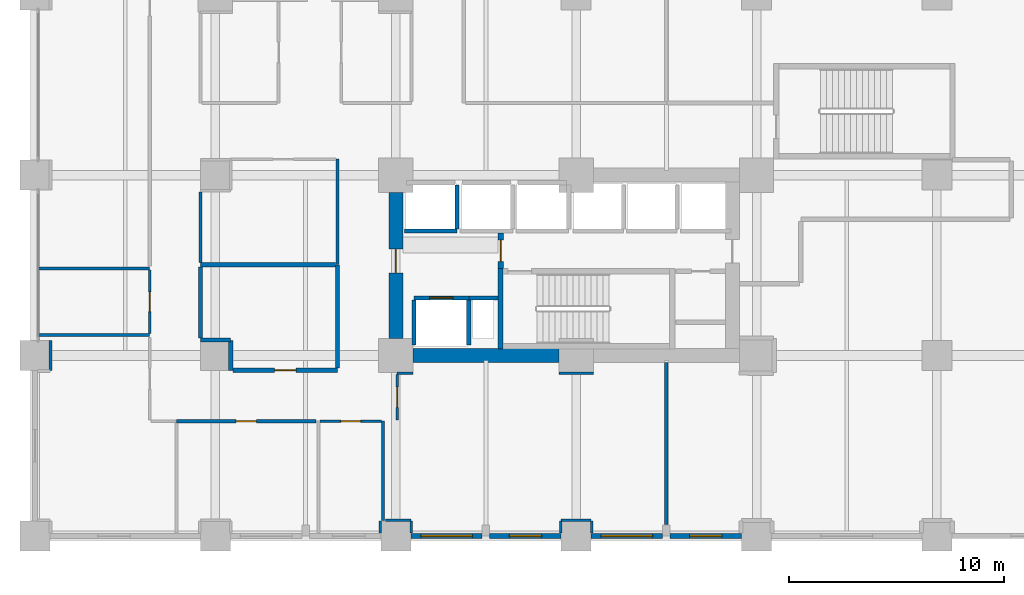
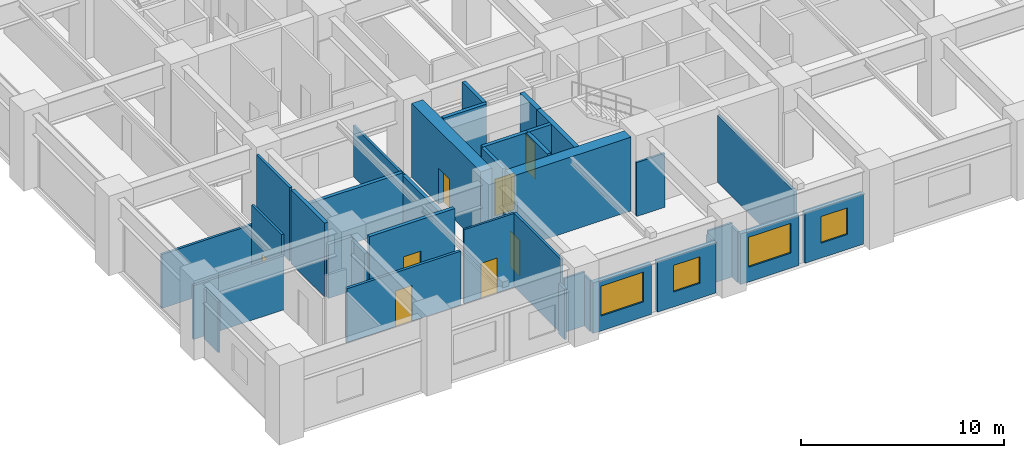
# One storey, part 19 of 24: 39 walls, 8 doors, 4 windows, 12 openings.
"""IFC4 building model written with IfcOpenShell, lengths in metres."""

from ifc_helpers import new_model, si_unit, direction, frame, frame_2d, origin, place, context, subcontext, project, spatial, rectangle, extrude, material, layer, layer_set, type_object, element, fill, save


model = new_model("IFC4")

# Units and contexts
model_context = context("Model", 3, precision=1e-05, world=origin(), true_north=direction((0.0, 1.0)))
body_context = subcontext(model_context, "Body", "Model", "MODEL_VIEW")
ifc_project = project(units=[si_unit("LENGTHUNIT", "METRE"), si_unit("AREAUNIT", "SQUARE_METRE"), si_unit("VOLUMEUNIT", "CUBIC_METRE"), si_unit("PLANEANGLEUNIT", "RADIAN"), si_unit("MASSUNIT", "GRAM", prefix="KILO")], contexts=[model_context])

# Site, building, storey
site_placement = place(None, origin())
site = spatial("IfcSite", under=ifc_project, at=site_placement, CompositionType="ELEMENT")
building_placement = place(site_placement, origin())
building = spatial("IfcBuilding", under=site, at=building_placement, Name="Nerrivon Quay Data Exchange", CompositionType="ELEMENT")
storey_placement = place(building_placement, frame((0.0, 0.0, 15.0)))
storey = spatial("IfcBuildingStorey", under=building, at=storey_placement, Name="L03", CompositionType="ELEMENT", Elevation=15.0)

# Wall, opening, window
ifc_material_1 = material(Name="Architectural terracotta precast concrete N50 (50 MPa)", Category="masonry")
ifc_layer_1 = layer(ifc_material_1, 0.239990234375)
ifc_layer_set_1 = layer_set([ifc_layer_1], Name="Architectural terracotta precast concrete N50 (50 MPa)")
wall_type_1 = type_object("IfcWallType", Name="EW-PREC-240", PredefinedType="STANDARD", material=ifc_layer_set_1)
wall_1_placement = place(storey_placement, frame((32.89990234375, 0.0, 0.0), z_axis=(0.0, 0.0, 1.0), x_axis=(-1.0, 0.0, 0.0)))
wall_1 = element("IfcWall", 1, at=wall_1_placement, inside=storey, type_object=wall_type_1, Name="L03 Podium Precast Spandrel Wall 23", PredefinedType="STANDARD", context=body_context, shape_type="SweptSolid", body=[
    extrude(rectangle(XDim=3.324951171875, YDim=0.239990234375, at=frame_2d((1.66259765625, 0.0))), origin(), (0.0, 0.0, 1.0), 3.050048828125),
])
opening_1_placement = place(wall_1_placement, frame((0.91259765625, 0.0, 0.89990234375)))
opening_1 = element("IfcOpeningElement", 2, at=opening_1_placement, cuts=wall_1, Name="Opening WN4", PredefinedType="OPENING", context=body_context, shape_type="SweptSolid", body=[
    extrude(rectangle(XDim=1.5, YDim=1.60009765625, at=frame_2d((0.75, 0.800048828125))), frame((0.0, 0.1298828125, 0.0), z_axis=(0.0, -1.0, 0.0), x_axis=(1.0, 0.0, 0.0)), (0.0, 0.0, 1.0), 0.260009765625),
])
ifc_material_2 = material(Name="Double-glazed low-E solar control glass", Category="glass")
window_type_1 = type_object("IfcWindowType", Name="WIN-W4-1500x1600", PartitioningType="SINGLE_PANEL", PredefinedType="WINDOW", material=ifc_material_2)
window_1_placement = place(opening_1_placement, origin())
window_1 = element("IfcWindow", 3, at=window_1_placement, inside=storey, type_object=window_type_1, Name="L03 Solar Facade Window 23", OverallHeight=1.60009765625, OverallWidth=1.5, PartitioningType="SINGLE_PANEL", PredefinedType="WINDOW", context=body_context, shape_type="SweptSolid", body=[
    extrude(rectangle(XDim=1.5, YDim=1.60009765625, at=frame_2d((0.75, 0.800048828125))), frame((0.0, 0.030029296875, 0.0), z_axis=(0.0, -1.0, 0.0), x_axis=(1.0, 0.0, 0.0)), (0.0, 0.0, 1.0), 0.06005859375),
])
fill(opening_1, window_1)

wall_2_placement = place(storey_placement, frame((29.22509765625, 0.0, 0.0), z_axis=(0.0, 0.0, 1.0), x_axis=(-1.0, 0.0, 0.0)))
wall_2 = element("IfcWall", 4, at=wall_2_placement, inside=storey, type_object=wall_type_1, Name="L03 Podium Precast Spandrel Wall 24", PredefinedType="STANDARD", context=body_context, shape_type="SweptSolid", body=[
    extrude(rectangle(XDim=3.3251953125, YDim=0.239990234375, at=frame_2d((1.66259765625, 0.0))), origin(), (0.0, 0.0, 1.0), 3.050048828125),
])
opening_2_placement = place(wall_2_placement, frame((0.46240234375, 0.0, 0.89990234375)))
opening_2 = element("IfcOpeningElement", 5, at=opening_2_placement, cuts=wall_2, Name="Opening WN1", PredefinedType="OPENING", context=body_context, shape_type="SweptSolid", body=[
    extrude(rectangle(XDim=2.39990234375, YDim=1.800048828125, at=frame_2d((1.199951171875, 0.89990234375))), frame((0.0, 0.1298828125, 0.0), z_axis=(0.0, -1.0, 0.0), x_axis=(1.0, 0.0, 0.0)), (0.0, 0.0, 1.0), 0.260009765625),
])
window_type_2 = type_object("IfcWindowType", Name="WIN-W1-2400x1800", PartitioningType="SINGLE_PANEL", PredefinedType="WINDOW", material=ifc_material_2)
window_2_placement = place(opening_2_placement, origin())
window_2 = element("IfcWindow", 6, at=window_2_placement, inside=storey, type_object=window_type_2, Name="L03 Solar Facade Window 24", OverallHeight=1.800048828125, OverallWidth=2.39990234375, PartitioningType="SINGLE_PANEL", PredefinedType="WINDOW", context=body_context, shape_type="SweptSolid", body=[
    extrude(rectangle(XDim=2.39990234375, YDim=1.800048828125, at=frame_2d((1.199951171875, 0.89990234375))), frame((0.0, 0.030029296875, 0.0), z_axis=(0.0, -1.0, 0.0), x_axis=(1.0, 0.0, 0.0)), (0.0, 0.0, 1.0), 0.06005859375),
])
fill(opening_2, window_2)

wall_3_placement = place(storey_placement, frame((24.5, 0.0, 0.0), z_axis=(0.0, 0.0, 1.0), x_axis=(-1.0, 0.0, 0.0)))
wall_3 = element("IfcWall", 7, at=wall_3_placement, inside=storey, type_object=wall_type_1, Name="L03 Podium Precast Spandrel Wall 25", PredefinedType="STANDARD", context=body_context, shape_type="SweptSolid", body=[
    extrude(rectangle(XDim=3.324951171875, YDim=0.239990234375, at=frame_2d((1.66259765625, 0.0))), origin(), (0.0, 0.0, 1.0), 3.050048828125),
])
opening_3_placement = place(wall_3_placement, frame((0.91259765625, 0.0, 0.89990234375)))
opening_3 = element("IfcOpeningElement", 8, at=opening_3_placement, cuts=wall_3, Name="Opening WN4", PredefinedType="OPENING", context=body_context, shape_type="SweptSolid", body=[
    extrude(rectangle(XDim=1.5, YDim=1.60009765625, at=frame_2d((0.75, 0.800048828125))), frame((0.0, 0.1298828125, 0.0), z_axis=(0.0, -1.0, 0.0), x_axis=(1.0, 0.0, 0.0)), (0.0, 0.0, 1.0), 0.260009765625),
])
window_3_placement = place(opening_3_placement, origin())
window_3 = element("IfcWindow", 9, at=window_3_placement, inside=storey, type_object=window_type_1, Name="L03 Solar Facade Window 25", OverallHeight=1.60009765625, OverallWidth=1.5, PartitioningType="SINGLE_PANEL", PredefinedType="WINDOW", context=body_context, shape_type="SweptSolid", body=[
    extrude(rectangle(XDim=1.5, YDim=1.60009765625, at=frame_2d((0.75, 0.800048828125))), frame((0.0, 0.030029296875, 0.0), z_axis=(0.0, -1.0, 0.0), x_axis=(1.0, 0.0, 0.0)), (0.0, 0.0, 1.0), 0.06005859375),
])
fill(opening_3, window_3)

wall_4_placement = place(storey_placement, frame((20.824951171875, 0.0, 0.0), z_axis=(0.0, 0.0, 1.0), x_axis=(-1.0, 0.0, 0.0)))
wall_4 = element("IfcWall", 10, at=wall_4_placement, inside=storey, type_object=wall_type_1, Name="L03 Podium Precast Spandrel Wall 26", PredefinedType="STANDARD", context=body_context, shape_type="SweptSolid", body=[
    extrude(rectangle(XDim=3.324951171875, YDim=0.239990234375, at=frame_2d((1.66259765625, 0.0))), origin(), (0.0, 0.0, 1.0), 3.050048828125),
])
opening_4_placement = place(wall_4_placement, frame((0.46240234375, 0.0, 0.89990234375)))
opening_4 = element("IfcOpeningElement", 11, at=opening_4_placement, cuts=wall_4, Name="Opening WN1", PredefinedType="OPENING", context=body_context, shape_type="SweptSolid", body=[
    extrude(rectangle(XDim=2.39990234375, YDim=1.800048828125, at=frame_2d((1.199951171875, 0.89990234375))), frame((0.0, 0.1298828125, 0.0), z_axis=(0.0, -1.0, 0.0), x_axis=(1.0, 0.0, 0.0)), (0.0, 0.0, 1.0), 0.260009765625),
])
window_4_placement = place(opening_4_placement, origin())
window_4 = element("IfcWindow", 12, at=window_4_placement, inside=storey, type_object=window_type_2, Name="L03 Solar Facade Window 26", OverallHeight=1.800048828125, OverallWidth=2.39990234375, PartitioningType="SINGLE_PANEL", PredefinedType="WINDOW", context=body_context, shape_type="SweptSolid", body=[
    extrude(rectangle(XDim=2.39990234375, YDim=1.800048828125, at=frame_2d((1.199951171875, 0.89990234375))), frame((0.0, 0.030029296875, 0.0), z_axis=(0.0, -1.0, 0.0), x_axis=(1.0, 0.0, 0.0)), (0.0, 0.0, 1.0), 0.06005859375),
])
fill(opening_4, window_4)

# Wall
ifc_material_3 = material(Name="Concrete N80 (80 MPa)", Category="concrete")
ifc_layer_2 = layer(ifc_material_3, 0.64990234375)
ifc_layer_set_2 = layer_set([ifc_layer_2], Name="Concrete N80 (80 MPa)")
wall_type_2 = type_object("IfcWallType", Name="WALL-CW-850", PredefinedType="SHEAR", material=ifc_layer_set_2)
wall_5_placement = place(storey_placement, frame((17.60009765625, 8.39990234375, 0.0), z_axis=(0.0, 0.0, 1.0), x_axis=(1.0, 0.0, 0.0)))
element("IfcWall", 13, at=wall_5_placement, inside=storey, type_object=wall_type_2, Name="L03 East Split-Core Shear Wall ECW-S1", PredefinedType="SHEAR", context=body_context, shape_type="SweptSolid", body=[
    extrude(rectangle(XDim=6.7998046875, YDim=0.64990234375, at=frame_2d((3.39990234375, 0.0))), origin(), (0.0, 0.0, 1.0), 4.449951171875),
])

# Wall, opening, door
wall_6_placement = place(storey_placement, frame((16.800048828125, 9.199951171875, 0.0), z_axis=(0.0, 0.0, 1.0), x_axis=(0.0, 1.0, 0.0)))
wall_6 = element("IfcWall", 14, at=wall_6_placement, inside=storey, type_object=wall_type_2, Name="L03 East Split-Core Shear Wall ECW-W1", PredefinedType="SHEAR", context=body_context, shape_type="SweptSolid", body=[
    extrude(rectangle(XDim=6.800048828125, YDim=0.64990234375, at=frame_2d((3.39990234375, 0.0))), origin(), (0.0, 0.0, 1.0), 4.449951171875),
])
opening_5_placement = place(wall_6_placement, frame((3.050048828125, 0.0, 0.0)))
opening_5 = element("IfcOpeningElement", 15, at=opening_5_placement, cuts=wall_6, Name="Opening FD-120", PredefinedType="OPENING", context=body_context, shape_type="SweptSolid", body=[
    extrude(rectangle(XDim=1.10009765625, YDim=2.14990234375, at=frame_2d((0.550048828125, 1.074951171875))), frame((0.0, 0.3349609375, 0.0), z_axis=(0.0, -1.0, 0.0), x_axis=(1.0, 0.0, 0.0)), (0.0, 0.0, 1.0), 0.669921875),
])
ifc_material_4 = material(Name="Powder-coated galvanized steel sheet", Category="steel")
door_type_1 = type_object("IfcDoorType", Name="DR-FD120-1100", OperationType="NOTDEFINED", PredefinedType="DOOR", material=ifc_material_4)
door_1_placement = place(opening_5_placement, origin())
door_1 = element("IfcDoor", 16, at=door_1_placement, inside=storey, type_object=door_type_1, Name="L03 East Core Lobby Fire Door", OperationType="SINGLE_SWING_LEFT", OverallHeight=2.14990234375, OverallWidth=1.10009765625, PredefinedType="DOOR", context=body_context, shape_type="SweptSolid", body=[
    extrude(rectangle(XDim=1.10009765625, YDim=2.14990234375, at=frame_2d((0.550048828125, 1.074951171875))), frame((0.0, 0.02490234375, 0.0), z_axis=(0.0, -1.0, 0.0), x_axis=(1.0, 0.0, 0.0)), (0.0, 0.0, 1.0), 0.050048828125),
])
fill(opening_5, door_1)

# Wall
ifc_material_5 = material(Name="Gypsum plasterboard on cold-formed framing", Category="gypsum")
ifc_layer_3 = layer(ifc_material_5, 0.199951171875)
ifc_layer_set_3 = layer_set([ifc_layer_3], Name="Gypsum plasterboard on cold-formed framing")
wall_type_3 = type_object("IfcWallType", Name="WALL-FW-200", PredefinedType="PARTITIONING", material=ifc_layer_set_3)
wall_7_placement = place(storey_placement, frame((20.199951171875, 11.080078125, 0.0), z_axis=(0.0, 0.0, 1.0), x_axis=(1.0, 0.0, 0.0)))
element("IfcWall", 17, at=wall_7_placement, inside=storey, type_object=wall_type_3, Name="L03 East Core MEP Riser Shaft Wall N", PredefinedType="PARTITIONING", context=body_context, shape_type="SweptSolid", body=[
    extrude(rectangle(XDim=1.35009765625, YDim=0.199951171875, at=frame_2d((0.675048828125, 0.0))), origin(), (0.0, 0.0, 1.0), 4.449951171875),
])

# Wall, opening, door
wall_8_placement = place(storey_placement, frame((17.64990234375, 11.080078125, 0.0), z_axis=(0.0, 0.0, 1.0), x_axis=(1.0, 0.0, 0.0)))
wall_8 = element("IfcWall", 18, at=wall_8_placement, inside=storey, type_object=wall_type_3, Name="L03 Lift Front Wall FFL-2", PredefinedType="PARTITIONING", context=body_context, shape_type="SweptSolid", body=[
    extrude(rectangle(XDim=2.550048828125, YDim=0.199951171875, at=frame_2d((1.27490234375, 0.0))), origin(), (0.0, 0.0, 1.0), 4.449951171875),
])
opening_6_placement = place(wall_8_placement, frame((0.72509765625, 0.0, 0.0)))
opening_6 = element("IfcOpeningElement", 19, at=opening_6_placement, cuts=wall_8, Name="Opening LD-120", PredefinedType="OPENING", context=body_context, shape_type="SweptSolid", body=[
    extrude(rectangle(XDim=1.10009765625, YDim=2.199951171875, at=frame_2d((0.550048828125, 1.10009765625))), frame((0.0, 0.10986328125, 0.0), z_axis=(0.0, -1.0, 0.0), x_axis=(1.0, 0.0, 0.0)), (0.0, 0.0, 1.0), 0.219970703125),
])
door_type_2 = type_object("IfcDoorType", Name="DR-LIFT-LD120", OperationType="DOUBLE_DOOR_SLIDING", PredefinedType="DOOR", material=ifc_material_4)
door_2_placement = place(opening_6_placement, origin())
door_2 = element("IfcDoor", 20, at=door_2_placement, inside=storey, type_object=door_type_2, Name="L03 Lift Landing Sliding Door FFL-2", OperationType="DOUBLE_DOOR_SLIDING", OverallHeight=2.199951171875, OverallWidth=1.10009765625, PredefinedType="DOOR", context=body_context, shape_type="SweptSolid", body=[
    extrude(rectangle(XDim=1.10009765625, YDim=2.199951171875, at=frame_2d((0.550048828125, 1.10009765625))), frame((0.0, 0.02490234375, 0.0), z_axis=(0.0, -1.0, 0.0), x_axis=(1.0, 0.0, 0.0)), (0.0, 0.0, 1.0), 0.050048828125),
])
fill(opening_6, door_2)

# Walls
for number, where, z_axis, x_axis, name in (
    (21, (20.199951171875, 8.8798828125, 0.0), (0.0, 0.0, 1.0), (0.0, 1.0, 0.0), "L03 Lift Shaft Wall FFL-2 EAST"),
    (22, (17.64990234375, 8.8798828125, 0.0), (0.0, 0.0, 1.0), (0.0, 1.0, 0.0), "L03 Lift Shaft Wall FFL-2 WEST"),
):
    element("IfcWall", number, at=place(storey_placement, frame(where, z_axis=z_axis, x_axis=x_axis)), inside=storey, type_object=wall_type_3, Name=name, PredefinedType="PARTITIONING", context=body_context, shape_type="SweptSolid", body=[
        extrude(rectangle(XDim=2.10009765625, YDim=0.199951171875, at=frame_2d((1.050048828125, 0.0))), origin(), (0.0, 0.0, 1.0), 4.449951171875),
    ])
wall_9_placement = place(storey_placement, frame((17.199951171875, 14.199951171875, 0.0), z_axis=(0.0, 0.0, 1.0), x_axis=(1.0, 0.0, 0.0)))
element("IfcWall", 23, at=wall_9_placement, inside=storey, type_object=wall_type_3, Name="L03 Lift Front Wall PL4", PredefinedType="PARTITIONING", context=body_context, shape_type="SweptSolid", body=[
    extrude(rectangle(XDim=2.449951171875, YDim=0.199951171875, at=frame_2d((1.22509765625, 0.0))), origin(), (0.0, 0.0, 1.0), 4.449951171875),
])
wall_10_placement = place(storey_placement, frame((19.64990234375, 14.300048828125, 0.0), z_axis=(0.0, 0.0, 1.0), x_axis=(0.0, 1.0, 0.0)))
element("IfcWall", 24, at=wall_10_placement, inside=storey, type_object=wall_type_3, Name="L03 Lift Shaft Wall PL4 EAST", PredefinedType="PARTITIONING", context=body_context, shape_type="SweptSolid", body=[
    extrude(rectangle(XDim=2.050048828125, YDim=0.199951171875, at=frame_2d((1.02490234375, 0.0))), origin(), (0.0, 0.0, 1.0), 4.449951171875),
])
wall_11_placement = place(storey_placement, frame((7.7099609375, 9.1201171875, 0.0), z_axis=(0.0, 0.0, 1.0), x_axis=(1.0, 0.0, 0.0)))
element("IfcWall", 25, at=wall_11_placement, inside=storey, type_object=wall_type_3, Name="L03 Partition Colocation Data Workspace 1", PredefinedType="PARTITIONING", context=body_context, shape_type="SweptSolid", body=[
    extrude(rectangle(XDim=1.39013671875, YDim=0.199951171875, at=frame_2d((0.695068359375, 0.0))), origin(), (0.0, 0.0, 1.0), 3.25),
])
wall_12_placement = place(storey_placement, frame((9.1201171875, 9.10009765625, 0.0), z_axis=(0.0, 0.0, 1.0), x_axis=(0.0, -1.0, 0.0)))
element("IfcWall", 26, at=wall_12_placement, inside=storey, type_object=wall_type_3, Name="L03 Partition Colocation Data Workspace 1", PredefinedType="PARTITIONING", context=body_context, shape_type="SweptSolid", body=[
    extrude(rectangle(XDim=1.39013671875, YDim=0.199951171875, at=frame_2d((0.695068359375, 0.0))), origin(), (0.0, 0.0, 1.0), 3.050048828125),
])

# Wall, opening, door
wall_13_placement = place(storey_placement, frame((9.22412109375, 7.7099609375, 0.0), z_axis=(0.0, 0.0, 1.0), x_axis=(1.0, 0.0, 0.0)))
wall_13 = element("IfcWall", 27, at=wall_13_placement, inside=storey, type_object=wall_type_3, Name="L03 Partition Colocation Data Workspace 1", PredefinedType="PARTITIONING", context=body_context, shape_type="SweptSolid", body=[
    extrude(rectangle(XDim=4.865966796875, YDim=0.199951171875, at=frame_2d((2.43310546875, 0.0))), origin(), (0.0, 0.0, 1.0), 4.0439453125),
])
opening_7_placement = place(wall_13_placement, frame((1.93310546875, 0.0, 0.0)))
opening_7 = element("IfcOpeningElement", 28, at=opening_7_placement, cuts=wall_13, Name="Opening FD-60", PredefinedType="OPENING", context=body_context, shape_type="SweptSolid", body=[
    extrude(rectangle(XDim=1.0, YDim=2.14990234375, at=frame_2d((0.5, 1.074951171875))), frame((0.0, 0.10986328125, 0.0), z_axis=(0.0, -1.0, 0.0), x_axis=(1.0, 0.0, 0.0)), (0.0, 0.0, 1.0), 0.219970703125),
])
ifc_material_6 = material(Name="Engineered hardwood timber", Category="wood")
door_type_3 = type_object("IfcDoorType", Name="DR-FD60-1000", OperationType="NOTDEFINED", PredefinedType="DOOR", material=ifc_material_6)
door_3_placement = place(opening_7_placement, origin())
door_3 = element("IfcDoor", 29, at=door_3_placement, inside=storey, type_object=door_type_3, Name="L03 Door Colocation Data Workspace 1", OperationType="SINGLE_SWING_RIGHT", OverallHeight=2.14990234375, OverallWidth=1.0, PredefinedType="DOOR", context=body_context, shape_type="SweptSolid", body=[
    extrude(rectangle(XDim=1.0, YDim=2.14990234375, at=frame_2d((0.5, 1.074951171875))), frame((0.0, 0.02490234375, 0.0), z_axis=(0.0, -1.0, 0.0), x_axis=(1.0, 0.0, 0.0)), (0.0, 0.0, 1.0), 0.050048828125),
])
fill(opening_7, door_3)

# Walls
wall_14_placement = place(storey_placement, frame((14.090087890625, 7.81396484375, 0.0), z_axis=(0.0, 0.0, 1.0), x_axis=(0.0, 1.0, 0.0)))
element("IfcWall", 30, at=wall_14_placement, inside=storey, type_object=wall_type_3, Name="L03 Partition Colocation Data Workspace 1", PredefinedType="PARTITIONING", context=body_context, shape_type="SweptSolid", body=[
    extrude(rectangle(XDim=4.81103515625, YDim=0.199951171875, at=frame_2d((2.405517578125, 0.0))), origin(), (0.0, 0.0, 1.0), 3.050048828125),
])
wall_15_placement = place(storey_placement, frame((13.986083984375, 12.625, 0.0), z_axis=(0.0, 0.0, 1.0), x_axis=(-1.0, 0.0, 0.0)))
element("IfcWall", 31, at=wall_15_placement, inside=storey, type_object=wall_type_3, Name="L03 Partition Colocation Data Workspace 1", PredefinedType="PARTITIONING", context=body_context, shape_type="SweptSolid", body=[
    extrude(rectangle(XDim=6.276123046875, YDim=0.199951171875, at=frame_2d((3.13818359375, 0.0))), origin(), (0.0, 0.0, 1.0), 3.25),
])
wall_16_placement = place(storey_placement, frame((7.7099609375, 12.52099609375, 0.0), z_axis=(0.0, 0.0, 1.0), x_axis=(0.0, -1.0, 0.0)))
element("IfcWall", 32, at=wall_16_placement, inside=storey, type_object=wall_type_3, Name="L03 Partition Colocation Data Workspace 1", PredefinedType="PARTITIONING", context=body_context, shape_type="SweptSolid", body=[
    extrude(rectangle(XDim=3.296875, YDim=0.199951171875, at=frame_2d((1.6484375, 0.0))), origin(), (0.0, 0.0, 1.0), 4.449951171875),
])
ifc_layer_4 = layer(ifc_material_5, 0.1201171875)
ifc_layer_set_4 = layer_set([ifc_layer_4], Name="Gypsum plasterboard on cold-formed framing")
wall_type_4 = type_object("IfcWallType", Name="WALL-PT-120", PredefinedType="PARTITIONING", material=ifc_layer_set_4)
wall_17_placement = place(storey_placement, frame((16.080078125, 0.1240234375, 0.0), z_axis=(0.0, 0.0, 1.0), x_axis=(0.000421052594, 0.999999911357, 0.0)))
element("IfcWall", 33, at=wall_17_placement, inside=storey, type_object=wall_type_4, Name="L03 Partition Accessible Toilet", PredefinedType="PARTITIONING", context=body_context, shape_type="SweptSolid", body=[
    extrude(rectangle(XDim=0.579833984375, YDim=0.1201171875, at=frame_2d((0.2900390625, 0.0))), origin(), (0.0, 0.0, 1.0), 3.050048828125),
])

# Wall, opening, door
wall_18_placement = place(storey_placement, frame((16.12841796875, 5.340087890625, 0.0), z_axis=(0.0, 0.0, 1.0), x_axis=(-1.0, 0.0, 0.0)))
wall_18 = element("IfcWall", 34, at=wall_18_placement, inside=storey, type_object=wall_type_4, Name="L03 Partition Accessible Toilet", PredefinedType="PARTITIONING", context=body_context, shape_type="SweptSolid", body=[
    extrude(rectangle(XDim=2.85693359375, YDim=0.1201171875, at=frame_2d((1.428466796875, 0.0))), origin(), (0.0, 0.0, 1.0), 4.449951171875),
])
opening_8_placement = place(wall_18_placement, frame((0.968505859375, 0.0, 0.0)))
opening_8 = element("IfcOpeningElement", 35, at=opening_8_placement, cuts=wall_18, Name="Opening D-WC", PredefinedType="OPENING", context=body_context, shape_type="SweptSolid", body=[
    extrude(rectangle(XDim=0.919921875, YDim=2.10009765625, at=frame_2d((0.4599609375, 1.050048828125))), frame((0.0, 0.070068359375, 0.0), z_axis=(0.0, -1.0, 0.0), x_axis=(1.0, 0.0, 0.0)), (0.0, 0.0, 1.0), 0.14013671875),
])
door_type_4 = type_object("IfcDoorType", Name="DR-WC-920", OperationType="NOTDEFINED", PredefinedType="DOOR", material=ifc_material_6)
door_4_placement = place(opening_8_placement, origin())
door_4 = element("IfcDoor", 36, at=door_4_placement, inside=storey, type_object=door_type_4, Name="L03 Door Accessible Toilet", OperationType="SINGLE_SWING_RIGHT", OverallHeight=2.10009765625, OverallWidth=0.919921875, PredefinedType="DOOR", context=body_context, shape_type="SweptSolid", body=[
    extrude(rectangle(XDim=0.919921875, YDim=2.10009765625, at=frame_2d((0.4599609375, 1.050048828125))), frame((0.0, 0.02490234375, 0.0), z_axis=(0.0, -1.0, 0.0), x_axis=(1.0, 0.0, 0.0)), (0.0, 0.0, 1.0), 0.050048828125),
])
fill(opening_8, door_4)

wall_19_placement = place(storey_placement, frame((5.340087890625, 9.42138671875, 0.0), z_axis=(0.0, 0.0, 1.0), x_axis=(0.0, 1.0, 0.0)))
wall_19 = element("IfcWall", 37, at=wall_19_placement, inside=storey, type_object=wall_type_4, Name="L03 Partition Public Washrooms", PredefinedType="PARTITIONING", context=body_context, shape_type="SweptSolid", body=[
    extrude(rectangle(XDim=2.95703125, YDim=0.1201171875, at=frame_2d((1.478515625, 0.0))), origin(), (0.0, 0.0, 1.0), 4.449951171875),
])
opening_9_placement = place(wall_19_placement, frame((1.0185546875, 0.0, 0.0)))
opening_9 = element("IfcOpeningElement", 38, at=opening_9_placement, cuts=wall_19, Name="Opening D-WC", PredefinedType="OPENING", context=body_context, shape_type="SweptSolid", body=[
    extrude(rectangle(XDim=0.919921875, YDim=2.10009765625, at=frame_2d((0.4599609375, 1.050048828125))), frame((0.0, 0.070068359375, 0.0), z_axis=(0.0, -1.0, 0.0), x_axis=(1.0, 0.0, 0.0)), (0.0, 0.0, 1.0), 0.14013671875),
])
door_5_placement = place(opening_9_placement, origin())
door_5 = element("IfcDoor", 39, at=door_5_placement, inside=storey, type_object=door_type_4, Name="L03 Door Public Washrooms", OperationType="SINGLE_SWING_LEFT", OverallHeight=2.10009765625, OverallWidth=0.919921875, PredefinedType="DOOR", context=body_context, shape_type="SweptSolid", body=[
    extrude(rectangle(XDim=0.919921875, YDim=2.10009765625, at=frame_2d((0.4599609375, 1.050048828125))), frame((0.0, 0.02490234375, 0.0), z_axis=(0.0, -1.0, 0.0), x_axis=(1.0, 0.0, 0.0)), (0.0, 0.0, 1.0), 0.050048828125),
])
fill(opening_9, door_5)

# Walls
wall_20_placement = place(storey_placement, frame((0.719970703125, 9.10205078125, 0.0), z_axis=(0.0, 0.0, 1.0), x_axis=(0.0, -1.0, 0.0)))
element("IfcWall", 40, at=wall_20_placement, inside=storey, type_object=wall_type_4, Name="L03 Partition Staff Bistro", PredefinedType="PARTITIONING", context=body_context, shape_type="SweptSolid", body=[
    extrude(rectangle(XDim=1.402099609375, YDim=0.1201171875, at=frame_2d((0.701171875, 0.0))), origin(), (0.0, 0.0, 1.0), 3.050048828125),
])
wall_21_placement = place(storey_placement, frame((16.320068359375, 0.719970703125, 0.0), z_axis=(0.0, 0.0, 1.0), x_axis=(1.0, 0.0, 0.0)))
element("IfcWall", 41, at=wall_21_placement, inside=storey, type_object=wall_type_4, Name="L03 Partition Wellness Fitness Room", PredefinedType="PARTITIONING", context=body_context, shape_type="SweptSolid", body=[
    extrude(rectangle(XDim=1.179931640625, YDim=0.1201171875, at=frame_2d((0.58984375, 0.0))), origin(), (0.0, 0.0, 1.0), 3.25),
])
for number, where, z_axis, x_axis, name in (
    (42, (17.52001953125, 0.699951171875, 0.0), (0.0, 0.0, 1.0), (0.0, -1.0, 0.0), "L03 Partition Wellness Fitness Room"),
    (43, (24.47998046875, 0.1240234375, 0.0), (0.0, 0.0, 1.0), (0.0, 1.0, 0.0), "L03 Partition Wellness Fitness Room"),
):
    element("IfcWall", number, at=place(storey_placement, frame(where, z_axis=z_axis, x_axis=x_axis)), inside=storey, type_object=wall_type_4, Name=name, PredefinedType="PARTITIONING", context=body_context, shape_type="SweptSolid", body=[
        extrude(rectangle(XDim=0.575927734375, YDim=0.1201171875, at=frame_2d((0.2880859375, 0.0))), origin(), (0.0, 0.0, 1.0), 3.050048828125),
    ])
wall_22_placement = place(storey_placement, frame((24.5, 0.719970703125, 0.0), z_axis=(0.0, 0.0, 1.0), x_axis=(1.0, 0.0, 0.0)))
element("IfcWall", 44, at=wall_22_placement, inside=storey, type_object=wall_type_4, Name="L03 Partition Wellness Fitness Room", PredefinedType="PARTITIONING", context=body_context, shape_type="SweptSolid", body=[
    extrude(rectangle(XDim=1.39990234375, YDim=0.1201171875, at=frame_2d((0.699951171875, 0.0))), origin(), (0.0, 0.0, 1.0), 3.25),
])
wall_23_placement = place(storey_placement, frame((25.919921875, 0.699951171875, 0.0), z_axis=(0.0, 0.0, 1.0), x_axis=(0.0, -1.0, 0.0)))
element("IfcWall", 45, at=wall_23_placement, inside=storey, type_object=wall_type_4, Name="L03 Partition Wellness Fitness Room", PredefinedType="PARTITIONING", context=body_context, shape_type="SweptSolid", body=[
    extrude(rectangle(XDim=0.575927734375, YDim=0.1201171875, at=frame_2d((0.2880859375, 0.0))), origin(), (0.0, 0.0, 1.0), 3.050048828125),
])
wall_24_placement = place(storey_placement, frame((26.005859375, 7.580810546875, 0.0), z_axis=(0.0, 0.0, 1.0), x_axis=(-0.999999896002, -0.000456065626, 0.0)))
element("IfcWall", 46, at=wall_24_placement, inside=storey, type_object=wall_type_4, Name="L03 Partition Wellness Fitness Room", PredefinedType="PARTITIONING", context=body_context, shape_type="SweptSolid", body=[
    extrude(rectangle(XDim=1.60595703125, YDim=0.1201171875, at=frame_2d((0.802978515625, 0.0))), origin(), (0.0, 0.0, 1.0), 3.25),
])
wall_25_placement = place(storey_placement, frame((17.60009765625, 7.580078125, 0.0), z_axis=(0.0, 0.0, 1.0), x_axis=(-1.0, 0.0, 0.0)))
element("IfcWall", 47, at=wall_25_placement, inside=storey, type_object=wall_type_4, Name="L03 Partition Wellness Fitness Room", PredefinedType="PARTITIONING", context=body_context, shape_type="SweptSolid", body=[
    extrude(rectangle(XDim=0.739990234375, YDim=0.1201171875, at=frame_2d((0.3701171875, 0.0))), origin(), (0.0, 0.0, 1.0), 3.25),
])

# Wall, opening, door
wall_26_placement = place(storey_placement, frame((16.860107421875, 7.51611328125, 0.0), z_axis=(0.0, 0.0, 1.0), x_axis=(0.0, -1.0, 0.0)))
wall_26 = element("IfcWall", 48, at=wall_26_placement, inside=storey, type_object=wall_type_4, Name="L03 Partition Wellness Fitness Room", PredefinedType="PARTITIONING", context=body_context, shape_type="SweptSolid", body=[
    extrude(rectangle(XDim=2.1162109375, YDim=0.1201171875, at=frame_2d((1.05810546875, 0.0))), origin(), (0.0, 0.0, 1.0), 3.25),
])
opening_10_placement = place(wall_26_placement, frame((0.5830078125, 0.0, 0.0)))
opening_10 = element("IfcOpeningElement", 49, at=opening_10_placement, cuts=wall_26, Name="Opening D-01", PredefinedType="OPENING", context=body_context, shape_type="SweptSolid", body=[
    extrude(rectangle(XDim=0.949951171875, YDim=2.14990234375, at=frame_2d((0.47509765625, 1.074951171875))), frame((0.0, 0.070068359375, 0.0), z_axis=(0.0, -1.0, 0.0), x_axis=(1.0, 0.0, 0.0)), (0.0, 0.0, 1.0), 0.14013671875),
])
door_type_5 = type_object("IfcDoorType", Name="DR-INT-950", OperationType="NOTDEFINED", PredefinedType="DOOR", material=ifc_material_6)
door_6_placement = place(opening_10_placement, origin())
door_6 = element("IfcDoor", 50, at=door_6_placement, inside=storey, type_object=door_type_5, Name="L03 Door Wellness Fitness Room", OperationType="SINGLE_SWING_RIGHT", OverallHeight=2.14990234375, OverallWidth=0.949951171875, PredefinedType="DOOR", context=body_context, shape_type="SweptSolid", body=[
    extrude(rectangle(XDim=0.949951171875, YDim=2.14990234375, at=frame_2d((0.47509765625, 1.074951171875))), frame((0.0, 0.02490234375, 0.0), z_axis=(0.0, -1.0, 0.0), x_axis=(1.0, 0.0, 0.0)), (0.0, 0.0, 1.0), 0.050048828125),
])
fill(opening_10, door_6)

# Walls
ifc_layer_5 = layer(ifc_material_5, 0.135009765625)
ifc_layer_set_5 = layer_set([ifc_layer_5], Name="Gypsum plasterboard on cold-formed framing")
wall_type_5 = type_object("IfcWallType", Name="WALL-PT-135", PredefinedType="PARTITIONING", material=ifc_layer_set_5)
wall_27_placement = place(storey_placement, frame((16.199951171875, 0.719970703125, 0.0), z_axis=(0.0, 0.0, 1.0), x_axis=(0.0, 1.0, 0.0)))
element("IfcWall", 51, at=wall_27_placement, inside=storey, type_object=wall_type_5, Name="L03 Partition Accessible Toilet", PredefinedType="PARTITIONING", context=body_context, shape_type="SweptSolid", body=[
    extrude(rectangle(XDim=4.6201171875, YDim=0.135009765625, at=frame_2d((2.31005859375, 0.0))), origin(), (0.0, 0.0, 1.0), 4.449951171875),
])
for number, where, z_axis, x_axis, name in (
    (52, (5.340087890625, 12.449951171875, 0.0), (0.0, 0.0, 1.0), (-1.0, 0.0, 0.0), "L03 Partition Public Washrooms"),
    (53, (0.1689453125, 9.35009765625, 0.0), (0.0, 0.0, 1.0), (1.0, 0.0, 0.0), "L03 Partition Public Washrooms"),
):
    element("IfcWall", number, at=place(storey_placement, frame(where, z_axis=z_axis, x_axis=x_axis)), inside=storey, type_object=wall_type_5, Name=name, PredefinedType="PARTITIONING", context=body_context, shape_type="SweptSolid", body=[
        extrude(rectangle(XDim=5.171142578125, YDim=0.135009765625, at=frame_2d((2.58544921875, 0.0))), origin(), (0.0, 0.0, 1.0), 3.25),
    ])
wall_28_placement = place(storey_placement, frame((7.7099609375, 16.01611328125, 0.0), z_axis=(0.0, 0.0, 1.0), x_axis=(0.0, -1.0, 0.0)))
element("IfcWall", 54, at=wall_28_placement, inside=storey, type_object=wall_type_5, Name="L03 Partition Cloud Compute Workspace 1", PredefinedType="PARTITIONING", context=body_context, shape_type="SweptSolid", body=[
    extrude(rectangle(XDim=3.287109375, YDim=0.135009765625, at=frame_2d((1.6435546875, 0.0))), origin(), (0.0, 0.0, 1.0), 4.449951171875),
])
wall_29_placement = place(storey_placement, frame((14.090087890625, 12.64501953125, 0.0), z_axis=(0.0, 0.0, 1.0), x_axis=(0.0, 1.0, 0.0)))
element("IfcWall", 55, at=wall_29_placement, inside=storey, type_object=wall_type_5, Name="L03 Partition Cloud Compute Workspace 1", PredefinedType="PARTITIONING", context=body_context, shape_type="SweptSolid", body=[
    extrude(rectangle(XDim=4.89501953125, YDim=0.135009765625, at=frame_2d((2.447509765625, 0.0))), origin(), (0.0, 0.0, 1.0), 3.050048828125),
])

# Wall, opening, door
ifc_layer_6 = layer(ifc_material_5, 0.14990234375)
ifc_layer_set_6 = layer_set([ifc_layer_6], Name="Gypsum plasterboard on cold-formed framing")
wall_type_6 = type_object("IfcWallType", Name="WALL-PT-150", PredefinedType="PARTITIONING", material=ifc_layer_set_6)
wall_30_placement = place(storey_placement, frame((13.080078125, 5.340087890625, 0.0), z_axis=(0.0, 0.0, 1.0), x_axis=(-1.0, 0.0, 0.0)))
wall_30 = element("IfcWall", 56, at=wall_30_placement, inside=storey, type_object=wall_type_6, Name="L03 Partition Optical Engineering Studios Workspace", PredefinedType="PARTITIONING", context=body_context, shape_type="SweptSolid", body=[
    extrude(rectangle(XDim=6.489990234375, YDim=0.14990234375, at=frame_2d((3.2451171875, 0.0))), origin(), (0.0, 0.0, 1.0), 3.25),
])
opening_11_placement = place(wall_30_placement, frame((2.77001953125, 0.0, 0.0)))
opening_11 = element("IfcOpeningElement", 57, at=opening_11_placement, cuts=wall_30, Name="Opening D-01", PredefinedType="OPENING", context=body_context, shape_type="SweptSolid", body=[
    extrude(rectangle(XDim=0.949951171875, YDim=2.14990234375, at=frame_2d((0.47509765625, 1.074951171875))), frame((0.0, 0.0849609375, 0.0), z_axis=(0.0, -1.0, 0.0), x_axis=(1.0, 0.0, 0.0)), (0.0, 0.0, 1.0), 0.169921875),
])
door_7_placement = place(opening_11_placement, origin())
door_7 = element("IfcDoor", 58, at=door_7_placement, inside=storey, type_object=door_type_5, Name="L03 Door Optical Engineering Studios Workspace", OperationType="SINGLE_SWING_RIGHT", OverallHeight=2.14990234375, OverallWidth=0.949951171875, PredefinedType="DOOR", context=body_context, shape_type="SweptSolid", body=[
    extrude(rectangle(XDim=0.949951171875, YDim=2.14990234375, at=frame_2d((0.47509765625, 1.074951171875))), frame((0.0, 0.02490234375, 0.0), z_axis=(0.0, -1.0, 0.0), x_axis=(1.0, 0.0, 0.0)), (0.0, 0.0, 1.0), 0.050048828125),
])
fill(opening_11, door_7)

# Walls
wall_31_placement = place(storey_placement, frame((29.39990234375, 0.52001953125, 0.0), z_axis=(0.0, 0.0, 1.0), x_axis=(0.0, 1.0, 0.0)))
element("IfcWall", 59, at=wall_31_placement, inside=storey, type_object=wall_type_6, Name="L03 Partition Wellness Fitness Room", PredefinedType="PARTITIONING", context=body_context, shape_type="SweptSolid", body=[
    extrude(rectangle(XDim=7.551025390625, YDim=0.14990234375, at=frame_2d((3.775390625, 0.0))), origin(), (0.0, 0.0, 1.0), 4.0439453125),
])
ifc_material_7 = material(Name="Concrete N50 (50 MPa)", Category="concrete")
ifc_layer_7 = layer(ifc_material_7, 0.25)
ifc_layer_set_7 = layer_set([ifc_layer_7], Name="Concrete N50 (50 MPa)")
wall_type_7 = type_object("IfcWallType", Name="WALL-SW-250", PredefinedType="SHEAR", material=ifc_layer_set_7)
wall_32_placement = place(storey_placement, frame((21.675048828125, 8.699951171875, 0.0), z_axis=(0.0, 0.0, 1.0), x_axis=(0.0, 1.0, 0.0)))
element("IfcWall", 60, at=wall_32_placement, inside=storey, type_object=wall_type_7, Name="L03 ST02 Structural Stair Core Wall NEAR", PredefinedType="SHEAR", context=body_context, shape_type="SweptSolid", body=[
    extrude(rectangle(XDim=3.75, YDim=0.25, at=frame_2d((1.875, 0.0))), origin(), (0.0, 0.0, 1.0), 4.449951171875),
])

# Wall, opening, door
wall_33_placement = place(storey_placement, frame((21.679931640625, 12.449951171875, 0.0), z_axis=(0.0, 0.0, 1.0), x_axis=(0.0, 1.0, 0.0)))
wall_33 = element("IfcWall", 61, at=wall_33_placement, inside=storey, type_object=wall_type_7, Name="L03 East Firefighting Lobby Wall", PredefinedType="SHEAR", context=body_context, shape_type="SweptSolid", body=[
    extrude(rectangle(XDim=1.650146484375, YDim=0.25, at=frame_2d((0.8251953125, 0.0))), origin(), (0.0, 0.0, 1.0), 4.449951171875),
])
opening_12_placement = place(wall_33_placement, frame((0.324951171875, 0.0, 0.0)))
opening_12 = element("IfcOpeningElement", 62, at=opening_12_placement, cuts=wall_33, Name="Opening FD-60", PredefinedType="OPENING", context=body_context, shape_type="SweptSolid", body=[
    extrude(rectangle(XDim=1.0, YDim=2.14990234375, at=frame_2d((0.5, 1.074951171875))), frame((0.0, 0.135009765625, 0.0), z_axis=(0.0, -1.0, 0.0), x_axis=(1.0, 0.0, 0.0)), (0.0, 0.0, 1.0), 0.27001953125),
])
door_8_placement = place(opening_12_placement, origin())
door_8 = element("IfcDoor", 63, at=door_8_placement, inside=storey, type_object=door_type_3, Name="L03 East Firefighting Lobby Fire Door", OperationType="SINGLE_SWING_RIGHT", OverallHeight=2.14990234375, OverallWidth=1.0, PredefinedType="DOOR", context=body_context, shape_type="SweptSolid", body=[
    extrude(rectangle(XDim=1.0, YDim=2.14990234375, at=frame_2d((0.5, 1.074951171875))), frame((0.0, 0.02490234375, 0.0), z_axis=(0.0, -1.0, 0.0), x_axis=(1.0, 0.0, 0.0)), (0.0, 0.0, 1.0), 0.050048828125),
])
fill(opening_12, door_8)

save(model, "model.ifc")
